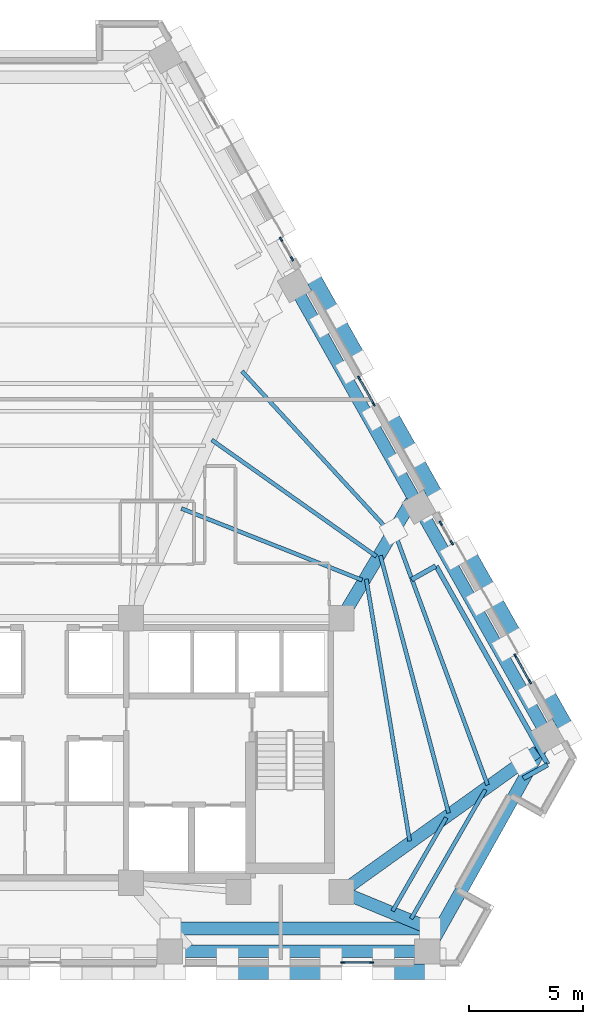
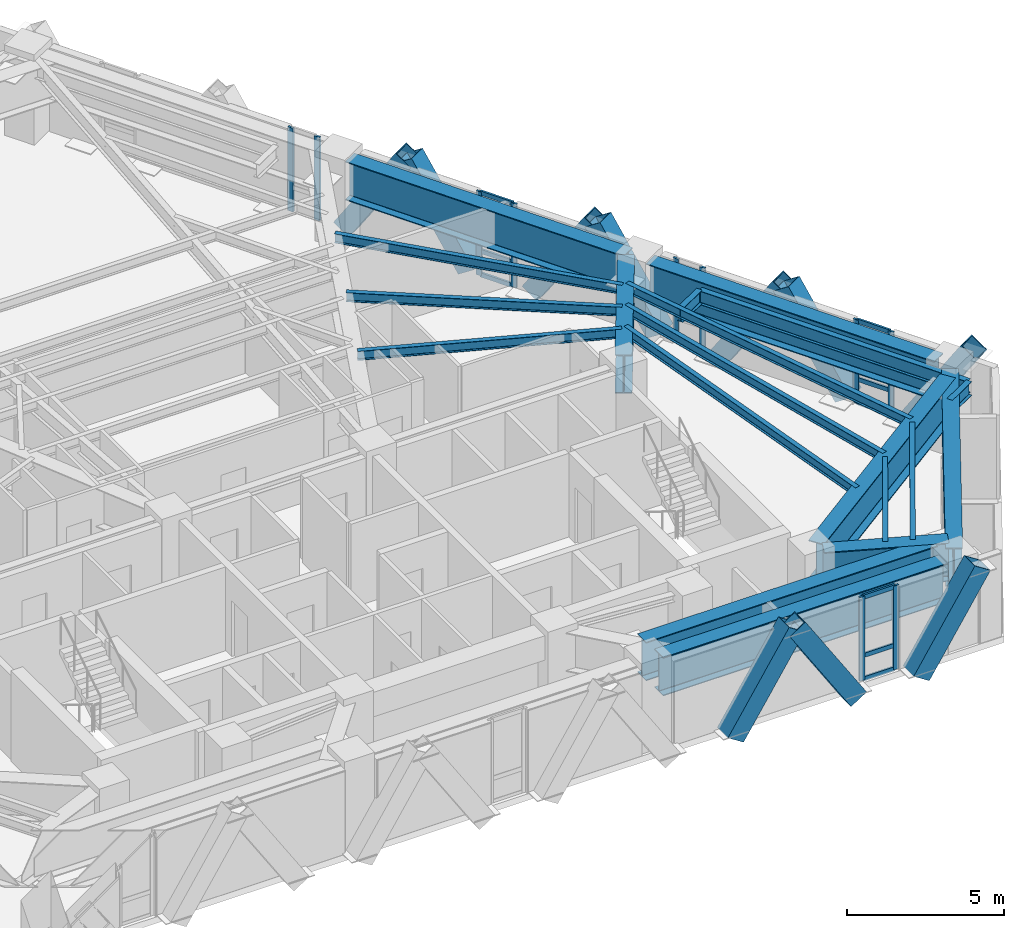
# One storey, part 4 of 13: 29 members, 19 beams, 5 elements without a shape of their own.
"""IFC4 building model written with IfcOpenShell, lengths in metres."""

import ifcopenshell
import ifcopenshell.guid

model = None  # the IFC model being written
_history = None  # IfcOwnerHistory: only IFC2X3 demands one
_inside = {}  # id of a spatial element -> (the spatial element, [elements in it])
_under = {}  # id of a project, library or spatial element -> (it, [spatial elements below it])
_declared = {}  # id of a project -> (the project, [libraries it declares])
_typed = {}  # id of a type object -> (the type object, [elements of that type])
_made_of = {}  # id of a material, layer set ... -> (it, [elements and type objects made of it])


def new_model(schema):
    """Start an empty IFC model of exactly this schema.

    Asked for "IFC4X3", IfcOpenShell would pick the latest addendum, in which some entities
    have other attributes; the version numbers below select the first issue.
    IFC2X3 requires an IfcOwnerHistory on every rooted entity: one is made here for all.
    """
    global model, _history
    if schema == "IFC4X3":
        model = ifcopenshell.file(schema_version=(4, 3, 0, 0))
    else:
        model = ifcopenshell.file(schema=schema)
    _inside.clear()
    _under.clear()
    _declared.clear()
    _typed.clear()
    _made_of.clear()
    _history = None
    if model.schema == "IFC2X3":
        org = make("IfcOrganization", Name="unknown")
        user = make(
            "IfcPersonAndOrganization",
            ThePerson=make("IfcPerson", FamilyName="unknown"),
            TheOrganization=org,
        )
        app = make(
            "IfcApplication",
            ApplicationDeveloper=org,
            Version="unknown",
            ApplicationFullName="unknown",
            ApplicationIdentifier="unknown",
        )
        _history = make(
            "IfcOwnerHistory",
            OwningUser=user,
            OwningApplication=app,
            ChangeAction="ADDED",
            CreationDate=0,
        )
    return model


def make(cls, **values):
    """One entity of the class cls with the attributes given. An attribute that is None is left unset."""
    return model.create_entity(
        cls, **{name: value for name, value in values.items() if value is not None}
    )


def rooted(cls, **values):
    """An entity with a GlobalId (a new one), such as an element, a storey or a relation."""
    return make(cls, GlobalId=ifcopenshell.guid.new(), OwnerHistory=_history, **values)


def si_unit(unit_type, name, prefix=None):
    """IfcSIUnit, for example si_unit("LENGTHUNIT", "METRE", prefix="MILLI")."""
    return make("IfcSIUnit", UnitType=unit_type, Prefix=prefix, Name=name)


def assignment(units):
    """IfcUnitAssignment: the units of a project."""
    return None if units is None else make("IfcUnitAssignment", Units=units)


def point(xyz):
    """IfcCartesianPoint."""
    return None if xyz is None else make("IfcCartesianPoint", Coordinates=xyz)


def direction(xyz):
    """IfcDirection."""
    return None if xyz is None else make("IfcDirection", DirectionRatios=xyz)


def frame(location, z_axis=None, x_axis=None):
    """IfcAxis2Placement3D, a coordinate frame: its origin and axes. An axis left out is left unset."""
    return make(
        "IfcAxis2Placement3D",
        Location=point(location),
        Axis=direction(z_axis),
        RefDirection=direction(x_axis),
    )


def frame_2d(location, x_axis=None):
    """IfcAxis2Placement2D, a coordinate frame in the plane: its origin and x axis."""
    return make(
        "IfcAxis2Placement2D", Location=point(location), RefDirection=direction(x_axis)
    )


def origin():
    """The frame at (0, 0, 0) with its axes left unset."""
    return frame((0.0, 0.0, 0.0))


def origin_2d():
    """The frame at (0, 0) in the plane with its x axis left unset."""
    return frame_2d((0.0, 0.0))


def place(relative_to, where):
    """IfcLocalPlacement: puts the frame where relative to a parent placement (None: the world)."""
    return make(
        "IfcLocalPlacement", PlacementRelTo=relative_to, RelativePlacement=where
    )


def context(
    kind, dimensions, precision=None, world=None, true_north=None, identifier=None
):
    """IfcGeometricRepresentationContext, for example the 3D "Model" context."""
    return make(
        "IfcGeometricRepresentationContext",
        ContextIdentifier=identifier,
        ContextType=kind,
        CoordinateSpaceDimension=dimensions,
        Precision=precision,
        WorldCoordinateSystem=world,
        TrueNorth=true_north,
    )


def subcontext(parent, identifier, kind, view, scale=None):
    """IfcGeometricRepresentationSubContext, for example "Body" below "Model"."""
    return make(
        "IfcGeometricRepresentationSubContext",
        ContextIdentifier=identifier,
        ContextType=kind,
        ParentContext=parent,
        TargetScale=scale,
        TargetView=view,
    )


def project(units=None, contexts=None):
    """IfcProject with its units and contexts."""
    return rooted(
        "IfcProject",
        Name="project",
        RepresentationContexts=contexts,
        UnitsInContext=assignment(units),
    )


def spatial(cls, under=None, at=None, **own):
    """A site, building, storey or space (cls), placed at a placement, below another one or the project."""
    s = rooted(cls, ObjectPlacement=at, **own)
    if under is not None:
        _under.setdefault(under.id(), (under, []))[1].append(s)
    return s


def profile(cls, at=None, kind="AREA", **sizes):
    """A parametric profile (cls). Its sizes go by their IFC names, for example OverallWidth=200.0."""
    return make(cls, ProfileType=kind, Position=at, **sizes)


def rectangle(**sizes):
    """IfcRectangleProfileDef."""
    return profile("IfcRectangleProfileDef", **sizes)


def hollow_rectangle(**sizes):
    """IfcRectangleHollowProfileDef."""
    return profile("IfcRectangleHollowProfileDef", **sizes)


def i_section(**sizes):
    """IfcIShapeProfileDef."""
    return profile("IfcIShapeProfileDef", **sizes)


def extrude(swept, where, along, depth):
    """IfcExtrudedAreaSolid: the profile swept, set in the frame where, extruded along a direction by depth."""
    return make(
        "IfcExtrudedAreaSolid",
        SweptArea=swept,
        Position=where,
        ExtrudedDirection=direction(along),
        Depth=depth,
    )


def shape(context_of_items, identifier, shape_type, items):
    """IfcShapeRepresentation: the items that make up one representation, for example the "Body"."""
    return make(
        "IfcShapeRepresentation",
        ContextOfItems=context_of_items,
        RepresentationIdentifier=identifier,
        RepresentationType=shape_type,
        Items=items,
    )


def material(Name=None, Category=None):
    """IfcMaterial."""
    return make("IfcMaterial", Name=Name, Category=Category)


def material_profile(
    of_material, cross_section, Name=None, Category=None, Priority=None
):
    """IfcMaterialProfile: a cross section and its material."""
    return make(
        "IfcMaterialProfile",
        Name=Name,
        Material=of_material,
        Profile=cross_section,
        Priority=Priority,
        Category=Category,
    )


def profile_set(profiles, Name=None, composite=None):
    """IfcMaterialProfileSet."""
    return make(
        "IfcMaterialProfileSet",
        Name=Name,
        MaterialProfiles=profiles,
        CompositeProfile=composite,
    )


def made_of(thing, what):
    """Note that an element or type object is made of a material, layer set ...; save() writes the relation."""
    if what is not None:
        _made_of.setdefault(what.id(), (what, []))[1].append(thing)
    return thing


def type_object(cls, material=None, **own):
    """A type object (cls), such as IfcWallType, which elements share."""
    return made_of(rooted(cls, **own), material)


def element(
    cls,
    number,
    at=None,
    inside=None,
    cuts=None,
    type_object=None,
    material=None,
    context=None,
    identifier="Body",
    shape_type=None,
    held_by="IfcProductDefinitionShape",
    body=None,
    shapes=None,
    **own,
):
    """One element of the class cls, such as IfcWall. Its Tag is "e" and its number.

    at: its placement. inside: the storey or other place that contains it. cuts: it is an
    opening in that element (IfcRelVoidsElement). A single representation is given by context,
    identifier, shape_type and body (its items); several are given by shapes. held_by: the class
    of the entity that holds the representations. save() writes the other relations.
    """
    e = rooted(cls, Tag="e%d" % number, ObjectPlacement=at, **own)
    if body is not None:
        shapes = [shape(context, identifier, shape_type, body)]
    if shapes is not None:
        e.Representation = make(held_by, Representations=shapes)
    if inside is not None:
        _inside.setdefault(inside.id(), (inside, []))[1].append(e)
    if cuts is not None:
        rooted(
            "IfcRelVoidsElement", RelatingBuildingElement=cuts, RelatedOpeningElement=e
        )
    if type_object is not None:
        _typed.setdefault(type_object.id(), (type_object, []))[1].append(e)
    return made_of(e, material)


def aggregate(whole, parts):
    """IfcRelAggregates: a whole, such as a stair, and the parts it consists of."""
    return rooted("IfcRelAggregates", RelatingObject=whole, RelatedObjects=parts)


def save(model, path):
    """Write the relations noted so far, then the file.

    IfcRelAggregates (storeys below a building ...), IfcRelContainedInSpatialStructure (elements
    in a storey), IfcRelDefinesByType, IfcRelAssociatesMaterial and IfcRelDeclares: one each for
    every whole, place, type object, material and project.
    """
    for whole, parts in _under.values():
        aggregate(whole, parts)
    for where, things in _inside.values():
        rooted(
            "IfcRelContainedInSpatialStructure",
            RelatedElements=things,
            RelatingStructure=where,
        )
    for kind, things in _typed.values():
        rooted("IfcRelDefinesByType", RelatedObjects=things, RelatingType=kind)
    for what, things in _made_of.values():
        rooted("IfcRelAssociatesMaterial", RelatedObjects=things, RelatingMaterial=what)
    for by, libraries in _declared.values():
        rooted("IfcRelDeclares", RelatingContext=by, RelatedDefinitions=libraries)
    model.write(path)


model = new_model("IFC4")

# Units and contexts
model_context = context("Model", 3, precision=1e-05, world=origin(), true_north=direction((0.0, 1.0)))
body_context = subcontext(model_context, "Body", "Model", "MODEL_VIEW")
ifc_project = project(units=[si_unit("LENGTHUNIT", "METRE"), si_unit("AREAUNIT", "SQUARE_METRE"), si_unit("VOLUMEUNIT", "CUBIC_METRE"), si_unit("PLANEANGLEUNIT", "RADIAN"), si_unit("MASSUNIT", "GRAM", prefix="KILO")], contexts=[model_context])

# Site, building, storey
site_placement = place(None, origin())
site = spatial("IfcSite", under=ifc_project, at=site_placement, CompositionType="ELEMENT")
building_placement = place(site_placement, origin())
building = spatial("IfcBuilding", under=site, at=building_placement, Name="Quenlor Broadcast Tower", CompositionType="ELEMENT")
storey_placement = place(building_placement, frame((0.0, 0.0, 126.5)))
storey = spatial("IfcBuildingStorey", under=building, at=storey_placement, Name="L34", CompositionType="ELEMENT", Elevation=126.5)

# Curtain wall, members
ifc_material_1 = material(Name="Architectural Terracotta and Low-E Glazing", Category="masonry")
curtain_wall_type = type_object("IfcCurtainWallType", Name="Unitised Terracotta Curtain Wall System Z2", PredefinedType="NOTDEFINED", material=ifc_material_1)
curtain_wall_1_placement = place(storey_placement, origin())
curtain_wall_1 = element("IfcCurtainWall", 1, at=curtain_wall_1_placement, inside=storey, type_object=curtain_wall_type, Name="L34 Curtain Wall CW2 (L34-SA-G1)", PredefinedType="NOTDEFINED")
ifc_material_2 = material(Name="Aluminium 6063-T6", Category="aluminium")
ifc_material_profile_1 = material_profile(ifc_material_2, rectangle(XDim=0.074951171875, YDim=0.199951171875, at=origin_2d()))
ifc_profile_set_1 = profile_set([ifc_material_profile_1], Name="Aluminium 6063-T6 MULL75x200")
member_type_1 = type_object("IfcMemberType", Name="CW2 Aluminium Mullion MULL_CW2", PredefinedType="MULLION", material=ifc_profile_set_1)
member_1_placement = place(storey_placement, frame((14.254150390625, -19.840087890625, 0.0), z_axis=(0.0, 0.0, 1.0), x_axis=(0.0, -1.0, 0.0)))
member_1 = element("IfcMember", 2, at=member_1_placement, type_object=member_type_1, Name="CW2 mullion 1", PredefinedType="MULLION", context=body_context, shape_type="SweptSolid", body=[
    extrude(rectangle(XDim=0.074951171875, YDim=0.199951171875, at=origin_2d()), origin(), (0.0, 0.0, 1.0), 3.25),
])
member_2_placement = place(storey_placement, frame((13.01611328125, -19.840087890625, 0.0), z_axis=(0.0, 0.0, 1.0), x_axis=(0.0, -1.0, 0.0)))
member_2 = element("IfcMember", 3, at=member_2_placement, type_object=member_type_1, Name="CW2 mullion 2", PredefinedType="MULLION", context=body_context, shape_type="SweptSolid", body=[
    extrude(rectangle(XDim=0.074951171875, YDim=0.199951171875, at=origin_2d()), origin(), (0.0, 0.0, 1.0), 3.25),
])

curtain_wall_2_placement = place(storey_placement, origin())
curtain_wall_2 = element("IfcCurtainWall", 4, at=curtain_wall_2_placement, inside=storey, type_object=curtain_wall_type, Name="L34 Curtain Wall CW2 (L34-NEA-G2)", PredefinedType="NOTDEFINED")
member_3_placement = place(storey_placement, frame((10.306396484375, 11.751220703125, 0.0), z_axis=(0.0, 0.0, 1.0), x_axis=(0.871580587336, 0.490252261371, 0.0)))
member_3 = element("IfcMember", 5, at=member_3_placement, type_object=member_type_1, Name="CW2 mullion 1", PredefinedType="MULLION", context=body_context, shape_type="SweptSolid", body=[
    extrude(rectangle(XDim=0.074951171875, YDim=0.199951171875, at=origin_2d()), origin(), (0.0, 0.0, 1.0), 3.25),
])
member_4_placement = place(storey_placement, frame((10.7880859375, 10.894775390625, 0.0), z_axis=(0.0, 0.0, 1.0), x_axis=(0.871580587336, 0.490252261371, 0.0)))
member_4 = element("IfcMember", 6, at=member_4_placement, type_object=member_type_1, Name="CW2 mullion 2", PredefinedType="MULLION", context=body_context, shape_type="SweptSolid", body=[
    extrude(rectangle(XDim=0.074951171875, YDim=0.199951171875, at=origin_2d()), origin(), (0.0, 0.0, 1.0), 3.25),
])
aggregate(curtain_wall_2, [member_3, member_4])

curtain_wall_3_placement = place(storey_placement, origin())
curtain_wall_3 = element("IfcCurtainWall", 7, at=curtain_wall_3_placement, inside=storey, type_object=curtain_wall_type, Name="L34 Curtain Wall CW2 (L34-NEC-G1)", PredefinedType="NOTDEFINED")
member_5_placement = place(storey_placement, frame((17.282958984375, -0.651611328125, 0.0), z_axis=(0.0, 0.0, 1.0), x_axis=(0.871580587336, 0.490252261371, 0.0)))
member_5 = element("IfcMember", 8, at=member_5_placement, type_object=member_type_1, Name="CW2 mullion 1", PredefinedType="MULLION", context=body_context, shape_type="SweptSolid", body=[
    extrude(rectangle(XDim=0.074951171875, YDim=0.199951171875, at=origin_2d()), origin(), (0.0, 0.0, 1.0), 3.25),
])
member_6_placement = place(storey_placement, frame((17.7646484375, -1.508056640625, 0.0), z_axis=(0.0, 0.0, 1.0), x_axis=(0.871580587336, 0.490252261371, 0.0)))
member_6 = element("IfcMember", 9, at=member_6_placement, type_object=member_type_1, Name="CW2 mullion 2", PredefinedType="MULLION", context=body_context, shape_type="SweptSolid", body=[
    extrude(rectangle(XDim=0.074951171875, YDim=0.199951171875, at=origin_2d()), origin(), (0.0, 0.0, 1.0), 3.25),
])
aggregate(curtain_wall_3, [member_5, member_6])

curtain_wall_4_placement = place(storey_placement, origin())
curtain_wall_4 = element("IfcCurtainWall", 10, at=curtain_wall_4_placement, inside=storey, type_object=curtain_wall_type, Name="L34 Curtain Wall CW2 (L34-NEC-G2)", PredefinedType="NOTDEFINED")
member_7_placement = place(storey_placement, frame((20.545654296875, -6.451904296875, 0.0), z_axis=(0.0, 0.0, 1.0), x_axis=(0.871565749621, 0.490278639232, 0.0)))
member_7 = element("IfcMember", 11, at=member_7_placement, type_object=member_type_1, Name="CW2 mullion 1", PredefinedType="MULLION", context=body_context, shape_type="SweptSolid", body=[
    extrude(rectangle(XDim=0.074951171875, YDim=0.199951171875, at=origin_2d()), origin(), (0.0, 0.0, 1.0), 3.25),
])
member_8_placement = place(storey_placement, frame((21.177734375, -7.57568359375, 0.0), z_axis=(0.0, 0.0, 1.0), x_axis=(0.871565749621, 0.490278639232, 0.0)))
member_8 = element("IfcMember", 12, at=member_8_placement, type_object=member_type_1, Name="CW2 mullion 2", PredefinedType="MULLION", context=body_context, shape_type="SweptSolid", body=[
    extrude(rectangle(XDim=0.074951171875, YDim=0.199951171875, at=origin_2d()), origin(), (0.0, 0.0, 1.0), 3.25),
])

curtain_wall_5_placement = place(storey_placement, origin())
curtain_wall_5 = element("IfcCurtainWall", 13, at=curtain_wall_5_placement, inside=storey, type_object=curtain_wall_type, Name="L34 Curtain Wall CW2 (L34-NE-G1)", PredefinedType="NOTDEFINED")
member_9_placement = place(storey_placement, frame((13.719482421875, 5.683349609375, 0.0), z_axis=(0.0, 0.0, 1.0), x_axis=(0.871579452423, 0.490254279037, 0.0)))
member_9 = element("IfcMember", 14, at=member_9_placement, type_object=member_type_1, Name="CW2 mullion 1", PredefinedType="MULLION", context=body_context, shape_type="SweptSolid", body=[
    extrude(rectangle(XDim=0.074951171875, YDim=0.199951171875, at=origin_2d()), origin(), (0.0, 0.0, 1.0), 3.25),
])
member_10_placement = place(storey_placement, frame((14.3515625, 4.559814453125, 0.0), z_axis=(0.0, 0.0, 1.0), x_axis=(0.871579452423, 0.490254279037, 0.0)))
member_10 = element("IfcMember", 15, at=member_10_placement, type_object=member_type_1, Name="CW2 mullion 2", PredefinedType="MULLION", context=body_context, shape_type="SweptSolid", body=[
    extrude(rectangle(XDim=0.074951171875, YDim=0.199951171875, at=origin_2d()), origin(), (0.0, 0.0, 1.0), 3.25),
])

# Member
ifc_material_3 = material(Name="Aluminium 6063-T6", Category="aluminium")
ifc_material_profile_2 = material_profile(ifc_material_3, rectangle(XDim=0.074951171875, YDim=0.1650390625, at=origin_2d()))
ifc_profile_set_2 = profile_set([ifc_material_profile_2], Name="Aluminium 6063-T6 TRAN75x165")
member_type_2 = type_object("IfcMemberType", Name="CW2 Aluminium Transom TRAN_CW2", PredefinedType="USERDEFINED", material=ifc_profile_set_2)
member_11_placement = place(storey_placement, frame((14.216796875, -19.840087890625, 0.03759765625), z_axis=(-1.0, 0.0, 0.0), x_axis=(0.0, -1.0, 0.0)))
member_11 = element("IfcMember", 16, at=member_11_placement, type_object=member_type_2, Name="CW2 transom 1.1", ObjectType="TRANSOM", PredefinedType="USERDEFINED", context=body_context, shape_type="SweptSolid", body=[
    extrude(rectangle(XDim=0.074951171875, YDim=0.1650390625, at=origin_2d()), origin(), (0.0, 0.0, 1.0), 1.1630859375),
])

member_12_placement = place(storey_placement, frame((14.216796875, -19.840087890625, 0.949951171875), z_axis=(-1.0, 0.0, 0.0), x_axis=(0.0, -1.0, 0.0)))
member_12 = element("IfcMember", 17, at=member_12_placement, type_object=member_type_2, Name="CW2 transom 1.2", ObjectType="TRANSOM", PredefinedType="USERDEFINED", context=body_context, shape_type="SweptSolid", body=[
    extrude(rectangle(XDim=0.074951171875, YDim=0.1650390625, at=origin_2d()), origin(), (0.0, 0.0, 1.0), 1.1630859375),
])

member_13_placement = place(storey_placement, frame((14.216796875, -19.840087890625, 3.21240234375), z_axis=(-1.0, 0.0, 0.0), x_axis=(0.0, -1.0, 0.0)))
member_13 = element("IfcMember", 18, at=member_13_placement, type_object=member_type_2, Name="CW2 transom 1.3", ObjectType="TRANSOM", PredefinedType="USERDEFINED", context=body_context, shape_type="SweptSolid", body=[
    extrude(rectangle(XDim=0.074951171875, YDim=0.1650390625, at=origin_2d()), origin(), (0.0, 0.0, 1.0), 1.1630859375),
])

aggregate(curtain_wall_1, [member_1, member_2, member_11, member_12, member_13])

member_14_placement = place(storey_placement, frame((20.56396484375, -6.484619140625, 0.03759765625), z_axis=(0.490347143438, -0.871527210661, 0.0), x_axis=(0.871527210661, 0.490347143438, 0.0)))
member_14 = element("IfcMember", 19, at=member_14_placement, type_object=member_type_2, Name="CW2 transom 1.1", ObjectType="TRANSOM", PredefinedType="USERDEFINED", context=body_context, shape_type="SweptSolid", body=[
    extrude(rectangle(XDim=0.074951171875, YDim=0.1650390625, at=origin_2d()), origin(), (0.0, 0.0, 1.0), 1.21435546875),
])

member_15_placement = place(storey_placement, frame((20.56396484375, -6.484619140625, 0.949951171875), z_axis=(0.490347143438, -0.871527210661, 0.0), x_axis=(0.871527210661, 0.490347143438, 0.0)))
member_15 = element("IfcMember", 20, at=member_15_placement, type_object=member_type_2, Name="CW2 transom 1.2", ObjectType="TRANSOM", PredefinedType="USERDEFINED", context=body_context, shape_type="SweptSolid", body=[
    extrude(rectangle(XDim=0.074951171875, YDim=0.1650390625, at=origin_2d()), origin(), (0.0, 0.0, 1.0), 1.21435546875),
])

member_16_placement = place(storey_placement, frame((20.56396484375, -6.484619140625, 3.21240234375), z_axis=(0.490347143438, -0.871527210661, 0.0), x_axis=(0.871527210661, 0.490347143438, 0.0)))
member_16 = element("IfcMember", 21, at=member_16_placement, type_object=member_type_2, Name="CW2 transom 1.3", ObjectType="TRANSOM", PredefinedType="USERDEFINED", context=body_context, shape_type="SweptSolid", body=[
    extrude(rectangle(XDim=0.074951171875, YDim=0.1650390625, at=origin_2d()), origin(), (0.0, 0.0, 1.0), 1.21435546875),
])

aggregate(curtain_wall_4, [member_7, member_8, member_14, member_15, member_16])

member_17_placement = place(storey_placement, frame((13.73779296875, 5.650634765625, 0.03759765625), z_axis=(0.490433072585, -0.871478858788, 0.0), x_axis=(0.871478858788, 0.490433072585, 0.0)))
member_17 = element("IfcMember", 22, at=member_17_placement, type_object=member_type_2, Name="CW2 transom 1.1", ObjectType="TRANSOM", PredefinedType="USERDEFINED", context=body_context, shape_type="SweptSolid", body=[
    extrude(rectangle(XDim=0.074951171875, YDim=0.1650390625, at=origin_2d()), origin(), (0.0, 0.0, 1.0), 1.214111328125),
])

member_18_placement = place(storey_placement, frame((13.73779296875, 5.650634765625, 0.949951171875), z_axis=(0.490433072585, -0.871478858788, 0.0), x_axis=(0.871478858788, 0.490433072585, 0.0)))
member_18 = element("IfcMember", 23, at=member_18_placement, type_object=member_type_2, Name="CW2 transom 1.2", ObjectType="TRANSOM", PredefinedType="USERDEFINED", context=body_context, shape_type="SweptSolid", body=[
    extrude(rectangle(XDim=0.074951171875, YDim=0.1650390625, at=origin_2d()), origin(), (0.0, 0.0, 1.0), 1.214111328125),
])

member_19_placement = place(storey_placement, frame((13.73779296875, 5.650634765625, 3.21240234375), z_axis=(0.490433072585, -0.871478858788, 0.0), x_axis=(0.871478858788, 0.490433072585, 0.0)))
member_19 = element("IfcMember", 24, at=member_19_placement, type_object=member_type_2, Name="CW2 transom 1.3", ObjectType="TRANSOM", PredefinedType="USERDEFINED", context=body_context, shape_type="SweptSolid", body=[
    extrude(rectangle(XDim=0.074951171875, YDim=0.1650390625, at=origin_2d()), origin(), (0.0, 0.0, 1.0), 1.214111328125),
])

aggregate(curtain_wall_5, [member_9, member_10, member_17, member_18, member_19])

# Members
ifc_material_4 = material(Name="Steel S355", Category="steel")
ifc_material_profile_3 = material_profile(ifc_material_4, hollow_rectangle(XDim=0.679931640625, YDim=0.679931640625, WallThickness=0.030029296875, at=origin_2d()))
ifc_profile_set_3 = profile_set([ifc_material_profile_3], Name="Steel S355 RHS680x680x30")
member_type_3 = type_object("IfcMemberType", Name="Perimeter Diagonal Lattice Brace Z2 Steel S355 RHS680x30", PredefinedType="BRACE", material=ifc_profile_set_3)
for number, where, z_axis, x_axis, name in (
    (25, (12.4853515625, -20.235107421875, -0.1201171875), (-0.539968035679, 0.0, 0.841685523485), (0.0, -1.0, 0.0), "L34 Perimeter Diamond Lattice S-C1S"),
    (26, (14.78515625, -20.235107421875, -0.1201171875), (0.539968035679, 0.0, 0.841685523485), (0.0, 1.0, 0.0), "L34 Perimeter Diamond Lattice S-C1B"),
    (27, (7.967529296875, -20.235107421875, -0.1201171875), (0.539968035679, 0.0, 0.841685523485), (0.0, 1.0, 0.0), "L34 Perimeter Diamond Lattice S-C2B"),
):
    element("IfcMember", number, at=place(storey_placement, frame(where, z_axis=z_axis, x_axis=x_axis)), inside=storey, type_object=member_type_3, Name=name, PredefinedType="BRACE", context=body_context, shape_type="SweptSolid", body=[
        extrude(hollow_rectangle(XDim=0.679931640625, YDim=0.679931640625, WallThickness=0.030029296875, at=origin_2d()), origin(), (0.0, 0.0, 1.0), 4.158203125),
    ])
member_20_placement = place(storey_placement, frame((11.54248046875, 10.359619140625, -0.1201171875), z_axis=(0.268634887212, -0.477637964099, 0.83647909276), x_axis=(0.871603971106, 0.490210686901, 0.0)))
element("IfcMember", 28, at=member_20_placement, inside=storey, type_object=member_type_3, Name="L34 Perimeter Diamond Lattice NE-C2S", PredefinedType="BRACE", context=body_context, shape_type="SweptSolid", body=[
    extrude(hollow_rectangle(XDim=0.679931640625, YDim=0.679931640625, WallThickness=0.030029296875, at=origin_2d()), origin(), (0.0, 0.0, 1.0), 4.184326171875),
])
for number, where, z_axis, x_axis, name in (
    (29, (14.955322265625, 4.291748046875, -0.1201171875), (0.268696511206, -0.477585438485, 0.836489290913), (0.871532878923, 0.490337068716, 0.0), "L34 Perimeter Diamond Lattice NE-C3S"),
    (30, (13.80419921875, 6.338623046875, -0.1201171875), (-0.268642373731, 0.477592925498, 0.83650240439), (-0.871578380919, -0.490256183964, 0.0), "L34 Perimeter Diamond Lattice NE-C3B"),
    (31, (18.368408203125, -1.77587890625, -0.1201171875), (0.268696511206, -0.477585438485, 0.836489290913), (0.871532878923, 0.490337068716, 0.0), "L34 Perimeter Diamond Lattice NE-C4S"),
    (32, (17.21728515625, 0.27099609375, -0.1201171875), (-0.268696511206, 0.477585438485, 0.836489290913), (-0.871532878923, -0.490337068716, 0.0), "L34 Perimeter Diamond Lattice NE-C4B"),
    (33, (21.781494140625, -7.843505859375, -0.1201171875), (0.268696511206, -0.477585438485, 0.836489290913), (0.871532878923, 0.490337068716, 0.0), "L34 Perimeter Diamond Lattice NE-C5S"),
    (34, (20.63037109375, -5.796630859375, -0.1201171875), (-0.268696511206, 0.477585438485, 0.836489290913), (-0.871532878923, -0.490337068716, 0.0), "L34 Perimeter Diamond Lattice NE-C5B"),
):
    element("IfcMember", number, at=place(storey_placement, frame(where, z_axis=z_axis, x_axis=x_axis)), inside=storey, type_object=member_type_3, Name=name, PredefinedType="BRACE", context=body_context, shape_type="SweptSolid", body=[
        extrude(hollow_rectangle(XDim=0.679931640625, YDim=0.679931640625, WallThickness=0.030029296875, at=origin_2d()), origin(), (0.0, 0.0, 1.0), 4.18408203125),
    ])

# Beams
ifc_material_5 = material(Name="Steel S355", Category="steel")
ifc_material_profile_4 = material_profile(ifc_material_5, i_section(OverallWidth=0.208984375, OverallDepth=0.532958984375, WebThickness=0.01025390625, FlangeThickness=0.015625, FilletRadius=0.013916015625, at=origin_2d()))
ifc_profile_set_4 = profile_set([ifc_material_profile_4], Name="Steel S355 530UB92.4")
beam_type_1 = type_object("IfcBeamType", Name="Perimeter Spandrel Beam Z1 Steel S355 530UB92.4", PredefinedType="SPANDREL", material=ifc_profile_set_4)
beam_1_placement = place(storey_placement, frame((16.005859375, -3.11474609375, 2.9833984375), z_axis=(0.871575537125, 0.490261239633, 0.0), x_axis=(-0.490261239633, 0.871575537125, 0.0)))
element("IfcBeam", 35, at=beam_1_placement, inside=storey, type_object=beam_type_1, Name="L34 Lattice Sill Radial Tie NEB1", PredefinedType="SPANDREL", context=body_context, shape_type="SweptSolid", body=[
    extrude(i_section(OverallWidth=0.208984375, OverallDepth=0.532958984375, WebThickness=0.01025390625, FlangeThickness=0.015625, FilletRadius=0.013916015625, at=origin_2d()), origin(), (0.0, 0.0, 1.0), 1.210205078125),
])
beam_2_placement = place(storey_placement, frame((20.887939453125, -11.794189453125, 2.9833984375), z_axis=(0.871661741425, 0.490107956001, 0.0), x_axis=(-0.490107956001, 0.871661741425, 0.0)))
element("IfcBeam", 36, at=beam_2_placement, inside=storey, type_object=beam_type_1, Name="L34 Lattice Sill Radial Tie NEB2", PredefinedType="SPANDREL", context=body_context, shape_type="SweptSolid", body=[
    extrude(i_section(OverallWidth=0.208984375, OverallDepth=0.532958984375, WebThickness=0.01025390625, FlangeThickness=0.015625, FilletRadius=0.013916015625, at=origin_2d()), origin(), (0.0, 0.0, 1.0), 1.2099609375),
])
beam_3_placement = place(storey_placement, frame((17.087646484375, -2.529296875, 2.9833984375), z_axis=(0.490261239633, -0.871575537125, 0.0), x_axis=(0.871575537125, 0.490261239633, 0.0)))
element("IfcBeam", 37, at=beam_3_placement, inside=storey, type_object=beam_type_1, Name="L34 Lattice Sill Girder NEB", PredefinedType="SPANDREL", context=body_context, shape_type="SweptSolid", body=[
    extrude(i_section(OverallWidth=0.208984375, OverallDepth=0.532958984375, WebThickness=0.01025390625, FlangeThickness=0.015625, FilletRadius=0.013916015625, at=origin_2d()), origin(), (0.0, 0.0, 1.0), 9.918212890625),
])
ifc_material_6 = material(Name="Steel S355", Category="steel")
ifc_material_profile_5 = material_profile(ifc_material_6, i_section(OverallWidth=0.172119140625, OverallDepth=0.358642578125, WebThickness=0.008056640625, FlangeThickness=0.012939453125, FilletRadius=0.011474609375, at=origin_2d()))
ifc_profile_set_5 = profile_set([ifc_material_profile_5], Name="Steel S355 360UB56.7")
beam_type_2 = type_object("IfcBeamType", Name="Tower Composite Joist Z2-Z3 Steel S355 360UB56.7", PredefinedType="JOIST", material=ifc_profile_set_5)
beam_4_placement = place(storey_placement, frame((13.851806640625, -3.13525390625, 3.07080078125), z_axis=(-0.929706761821, 0.368300606874, 0.0), x_axis=(-0.368300606874, -0.929706761821, 0.0)))
element("IfcBeam", 38, at=beam_4_placement, inside=storey, type_object=beam_type_2, Name="L34 Secondary Composite Joist 10", PredefinedType="JOIST", context=body_context, shape_type="SweptSolid", body=[
    extrude(i_section(OverallWidth=0.172119140625, OverallDepth=0.358642578125, WebThickness=0.008056640625, FlangeThickness=0.012939453125, FilletRadius=0.011474609375, at=origin_2d()), origin(), (0.0, 0.0, 1.0), 8.4921875),
])
beam_5_placement = place(storey_placement, frame((14.470947265625, -2.096435546875, 3.07080078125), z_axis=(-0.816445918649, 0.577421909804, 0.0), x_axis=(-0.577421909804, -0.816445918649, 0.0)))
element("IfcBeam", 39, at=beam_5_placement, inside=storey, type_object=beam_type_2, Name="L34 Secondary Composite Joist 11", PredefinedType="JOIST", context=body_context, shape_type="SweptSolid", body=[
    extrude(i_section(OverallWidth=0.172119140625, OverallDepth=0.358642578125, WebThickness=0.008056640625, FlangeThickness=0.012939453125, FilletRadius=0.011474609375, at=origin_2d()), origin(), (0.0, 0.0, 1.0), 8.8076171875),
])
beam_6_placement = place(storey_placement, frame((15.09228515625, -1.061767578125, 3.07080078125), z_axis=(-0.677219306064, 0.735781225294, 0.0), x_axis=(-0.735781225294, -0.677219306064, 0.0)))
element("IfcBeam", 40, at=beam_6_placement, inside=storey, type_object=beam_type_2, Name="L34 Secondary Composite Joist 12", PredefinedType="JOIST", context=body_context, shape_type="SweptSolid", body=[
    extrude(i_section(OverallWidth=0.172119140625, OverallDepth=0.358642578125, WebThickness=0.008056640625, FlangeThickness=0.012939453125, FilletRadius=0.011474609375, at=origin_2d()), origin(), (0.0, 0.0, 1.0), 9.58447265625),
])
beam_7_placement = place(storey_placement, frame((15.926513671875, -14.52783203125, 3.07080078125), z_axis=(-0.163517886977, 0.986540369493, 0.0), x_axis=(-0.986540369493, -0.163517886977, 0.0)))
element("IfcBeam", 41, at=beam_7_placement, inside=storey, type_object=beam_type_2, Name="L34 Secondary Composite Joist 16", PredefinedType="JOIST", context=body_context, shape_type="SweptSolid", body=[
    extrude(i_section(OverallWidth=0.172119140625, OverallDepth=0.358642578125, WebThickness=0.008056640625, FlangeThickness=0.012939453125, FilletRadius=0.011474609375, at=origin_2d()), origin(), (0.0, 0.0, 1.0), 11.593505859375),
])
beam_8_placement = place(storey_placement, frame((17.62744140625, -13.3046875, 3.07080078125), z_axis=(-0.256252124766, 0.966609977474, 0.0), x_axis=(-0.966609977474, -0.256252124766, 0.0)))
element("IfcBeam", 42, at=beam_8_placement, inside=storey, type_object=beam_type_2, Name="L34 Secondary Composite Joist 17", PredefinedType="JOIST", context=body_context, shape_type="SweptSolid", body=[
    extrude(i_section(OverallWidth=0.172119140625, OverallDepth=0.358642578125, WebThickness=0.008056640625, FlangeThickness=0.012939453125, FilletRadius=0.011474609375, at=origin_2d()), origin(), (0.0, 0.0, 1.0), 11.626220703125),
])
beam_9_placement = place(storey_placement, frame((19.328857421875, -12.08203125, 3.07080078125), z_axis=(-0.345408154907, 0.938452559549, 0.0), x_axis=(-0.938452559549, -0.345408154907, 0.0)))
element("IfcBeam", 43, at=beam_9_placement, inside=storey, type_object=beam_type_2, Name="L34 Secondary Composite Joist 18", PredefinedType="JOIST", context=body_context, shape_type="SweptSolid", body=[
    extrude(i_section(OverallWidth=0.172119140625, OverallDepth=0.358642578125, WebThickness=0.008056640625, FlangeThickness=0.012939453125, FilletRadius=0.011474609375, at=origin_2d()), origin(), (0.0, 0.0, 1.0), 11.763671875),
])
beam_10_placement = place(storey_placement, frame((15.17822265625, -17.588134765625, 3.07080078125), z_axis=(0.498625254038, 0.866817660201, 0.0), x_axis=(-0.866817660201, 0.498625254038, 0.0)))
element("IfcBeam", 44, at=beam_10_placement, inside=storey, type_object=beam_type_2, Name="L34 Secondary Composite Joist 23", PredefinedType="JOIST", context=body_context, shape_type="SweptSolid", body=[
    extrude(i_section(OverallWidth=0.172119140625, OverallDepth=0.358642578125, WebThickness=0.008056640625, FlangeThickness=0.012939453125, FilletRadius=0.011474609375, at=origin_2d()), origin(), (0.0, 0.0, 1.0), 4.701904296875),
])
beam_11_placement = place(storey_placement, frame((15.989013671875, -17.92431640625, 3.07080078125), z_axis=(0.498611496553, 0.866825573864, 0.0), x_axis=(-0.866825573864, 0.498611496553, 0.0)))
element("IfcBeam", 45, at=beam_11_placement, inside=storey, type_object=beam_type_2, Name="L34 Secondary Composite Joist 24", PredefinedType="JOIST", context=body_context, shape_type="SweptSolid", body=[
    extrude(i_section(OverallWidth=0.172119140625, OverallDepth=0.358642578125, WebThickness=0.008056640625, FlangeThickness=0.012939453125, FilletRadius=0.011474609375, at=origin_2d()), origin(), (0.0, 0.0, 1.0), 6.50244140625),
])
ifc_material_7 = material(Name="Steel S355", Category="steel")
ifc_material_profile_6 = material_profile(ifc_material_7, i_section(OverallWidth=0.550048828125, OverallDepth=1.5, WebThickness=0.02197265625, FlangeThickness=0.034912109375, FilletRadius=0.01806640625, at=origin_2d()))
ifc_profile_set_6 = profile_set([ifc_material_profile_6], Name="Steel S355 1500TG510")
beam_type_3 = type_object("IfcBeamType", Name="Zone Setback Transfer Girder Steel S355 1500", PredefinedType="BEAM", material=ifc_profile_set_6)
beam_12_placement = place(storey_placement, frame((5.853271484375, -19.35009765625, 2.5), z_axis=(1.0, 0.0, 0.0), x_axis=(0.0, 1.0, 0.0)))
element("IfcBeam", 46, at=beam_12_placement, inside=storey, type_object=beam_type_3, Name="L34 Spandrel Beam S3-S4", PredefinedType="BEAM", context=body_context, shape_type="SweptSolid", body=[
    extrude(i_section(OverallWidth=0.550048828125, OverallDepth=1.5, WebThickness=0.02197265625, FlangeThickness=0.034912109375, FilletRadius=0.01806640625, at=origin_2d()), origin(), (0.0, 0.0, 1.0), 10.42919921875),
])
beam_13_placement = place(storey_placement, frame((16.892822265625, -18.9921875, 2.5), z_axis=(0.488749102779, 0.872424389006, 0.0), x_axis=(-0.872424389006, 0.488749102779, 0.0)))
element("IfcBeam", 47, at=beam_13_placement, inside=storey, type_object=beam_type_3, Name="L34 Spandrel Beam S4-NE1", PredefinedType="BEAM", context=body_context, shape_type="SweptSolid", body=[
    extrude(i_section(OverallWidth=0.550048828125, OverallDepth=1.5, WebThickness=0.02197265625, FlangeThickness=0.034912109375, FilletRadius=0.01806640625, at=origin_2d()), origin(), (0.0, 0.0, 1.0), 9.947021484375),
])
beam_14_placement = place(storey_placement, frame((21.753662109375, -9.59912109375, 2.5), z_axis=(-0.490263415828, 0.871574313011, 0.0), x_axis=(-0.871574313011, -0.490263415828, 0.0)))
element("IfcBeam", 48, at=beam_14_placement, inside=storey, type_object=beam_type_3, Name="L34 Spandrel Beam NE1-NE2", PredefinedType="BEAM", context=body_context, shape_type="SweptSolid", body=[
    extrude(i_section(OverallWidth=0.550048828125, OverallDepth=1.5, WebThickness=0.02197265625, FlangeThickness=0.034912109375, FilletRadius=0.01806640625, at=origin_2d()), origin(), (0.0, 0.0, 1.0), 10.65283203125),
])
beam_15_placement = place(storey_placement, frame((16.129150390625, 0.400146484375, 2.5), z_axis=(-0.49026462139, 0.871573634878, 0.0), x_axis=(-0.871573634878, -0.49026462139, 0.0)))
element("IfcBeam", 49, at=beam_15_placement, inside=storey, type_object=beam_type_3, Name="L34 Spandrel Beam NE2-NE3", PredefinedType="BEAM", context=body_context, shape_type="SweptSolid", body=[
    extrude(i_section(OverallWidth=0.550048828125, OverallDepth=1.5, WebThickness=0.02197265625, FlangeThickness=0.034912109375, FilletRadius=0.01806640625, at=origin_2d()), origin(), (0.0, 0.0, 1.0), 10.28271484375),
])
beam_16_placement = place(storey_placement, frame((13.301025390625, -16.8955078125, 2.5), z_axis=(0.923713721559, -0.383083490382, 0.0), x_axis=(0.383083490382, 0.923713721559, 0.0)))
element("IfcBeam", 50, at=beam_16_placement, inside=storey, type_object=beam_type_3, Name="L34 Setback Transfer Girder S4", PredefinedType="BEAM", context=body_context, shape_type="SweptSolid", body=[
    extrude(i_section(OverallWidth=0.550048828125, OverallDepth=1.5, WebThickness=0.02197265625, FlangeThickness=0.034912109375, FilletRadius=0.01806640625, at=origin_2d()), origin(), (0.0, 0.0, 1.0), 4.00732421875),
])
beam_17_placement = place(storey_placement, frame((13.2587890625, -16.528564453125, 2.5), z_axis=(0.812727542033, 0.582643924212, 0.0), x_axis=(-0.582643924212, 0.812727542033, 0.0)))
element("IfcBeam", 51, at=beam_17_placement, inside=storey, type_object=beam_type_3, Name="L34 Setback Transfer Girder NE1", PredefinedType="BEAM", context=body_context, shape_type="SweptSolid", body=[
    extrude(i_section(OverallWidth=0.550048828125, OverallDepth=1.5, WebThickness=0.02197265625, FlangeThickness=0.034912109375, FilletRadius=0.01806640625, at=origin_2d()), origin(), (0.0, 0.0, 1.0), 10.13037109375),
])
beam_18_placement = place(storey_placement, frame((13.144775390625, -4.4736328125, 2.5), z_axis=(0.512561217571, 0.858650684646, 0.0), x_axis=(-0.858650684646, 0.512561217571, 0.0)))
element("IfcBeam", 52, at=beam_18_placement, inside=storey, type_object=beam_type_3, Name="L34 Setback Transfer Girder NE2", PredefinedType="BEAM", context=body_context, shape_type="SweptSolid", body=[
    extrude(i_section(OverallWidth=0.550048828125, OverallDepth=1.5, WebThickness=0.02197265625, FlangeThickness=0.034912109375, FilletRadius=0.01806640625, at=origin_2d()), origin(), (0.0, 0.0, 1.0), 5.571533203125),
])
beam_19_placement = place(storey_placement, frame((5.801025390625, -18.35009765625, 2.5), z_axis=(1.0, 0.0, 0.0), x_axis=(0.0, 1.0, 0.0)))
element("IfcBeam", 53, at=beam_19_placement, inside=storey, type_object=beam_type_3, Name="L34 South Setback Collector Girder C", PredefinedType="BEAM", context=body_context, shape_type="SweptSolid", body=[
    extrude(i_section(OverallWidth=0.550048828125, OverallDepth=1.5, WebThickness=0.02197265625, FlangeThickness=0.034912109375, FilletRadius=0.01806640625, at=origin_2d()), origin(), (0.0, 0.0, 1.0), 10.687255859375),
])

save(model, "model.ifc")
